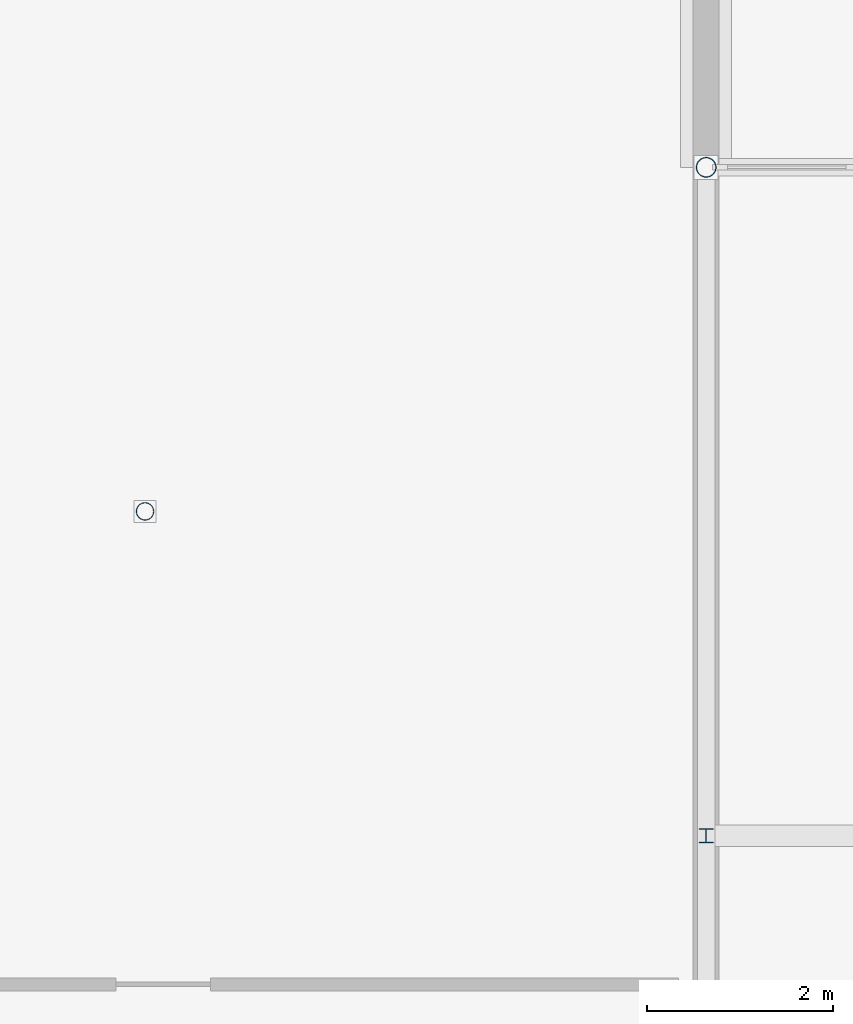
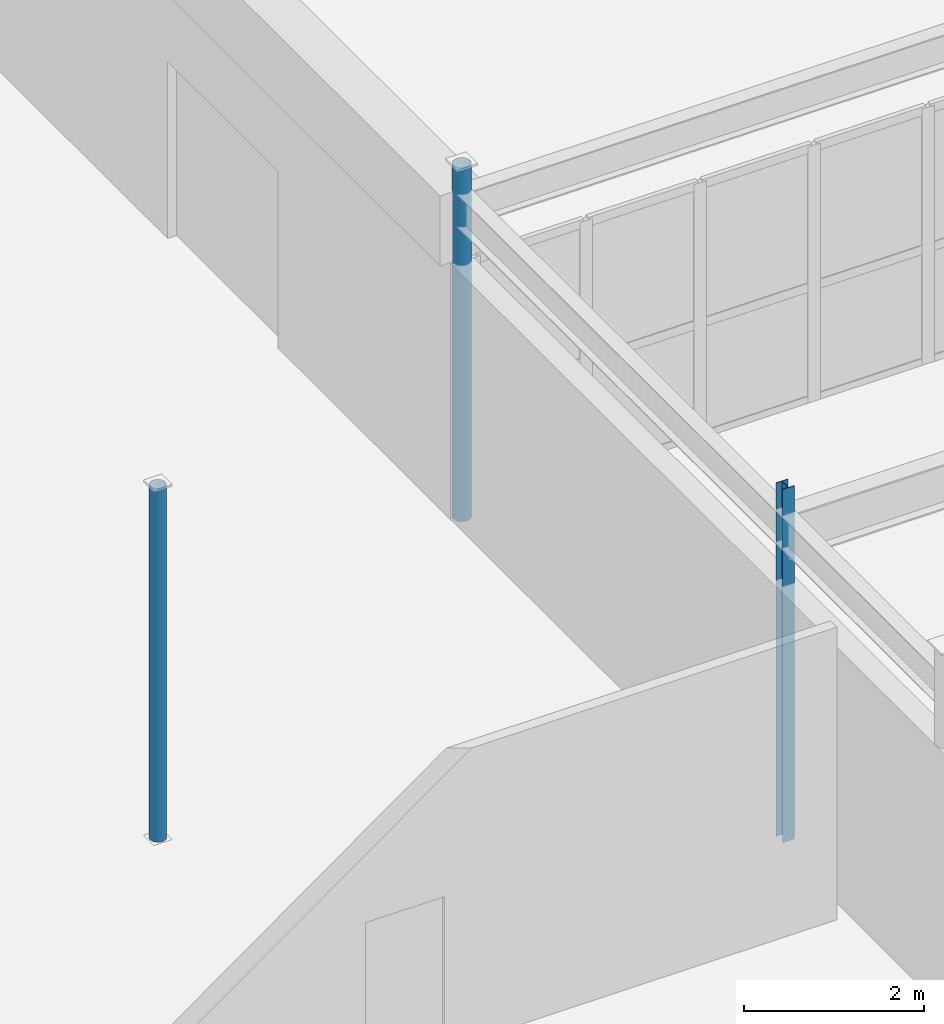
# One storey, part 56 of 199: 3 columns.
"""IFC4 building model written with IfcOpenShell, lengths in metres."""

from ifc_helpers import new_model, si_unit, direction, frame, origin, origin_2d, place, context, subcontext, project, spatial, hollow_circle, i_section, extrude, material, material_profile, profile_set, type_object, element, save


model = new_model("IFC4")

# Units and contexts
model_context = context("Model", 3, precision=1e-05, world=origin(), true_north=direction((0.0, 1.0)))
body_context = subcontext(model_context, "Body", "Model", "MODEL_VIEW")
ifc_project = project(units=[si_unit("LENGTHUNIT", "METRE"), si_unit("AREAUNIT", "SQUARE_METRE"), si_unit("VOLUMEUNIT", "CUBIC_METRE"), si_unit("PLANEANGLEUNIT", "RADIAN"), si_unit("MASSUNIT", "GRAM", prefix="KILO")], contexts=[model_context])

# Site, building, storey
site_placement = place(None, origin())
site = spatial("IfcSite", under=ifc_project, at=site_placement, CompositionType="ELEMENT")
building_placement = place(site_placement, origin())
building = spatial("IfcBuilding", under=site, at=building_placement, Name="Tarnwether General Hospital", CompositionType="ELEMENT")
storey_placement = place(building_placement, origin())
storey = spatial("IfcBuildingStorey", under=building, at=storey_placement, Name="L00", CompositionType="ELEMENT", Elevation=0.0)

# Columns
ifc_material_1 = material(Name="Steel Grade C350L0 (350 MPa)", Category="steel")
ifc_material_profile_1 = material_profile(ifc_material_1, hollow_circle(Radius=0.109619140625, WallThickness=0.010009765625, at=origin_2d()), Name="CHS219.1x10.0")
ifc_profile_set_1 = profile_set([ifc_material_profile_1], Name="Steel Grade C350L0 (350 MPa)")
column_type_1 = type_object("IfcColumnType", Name="COL-13", PredefinedType="COLUMN", material=ifc_profile_set_1)
column_1_placement = place(storey_placement, frame((132.0, 115.199951171875, 0.0), z_axis=(0.0, 0.0, 1.0), x_axis=(0.0, 1.0, 0.0)))
element("IfcColumn", 1, at=column_1_placement, inside=storey, type_object=column_type_1, Name="Column COLG-L00-13200_11520", PredefinedType="COLUMN", context=body_context, shape_type="SweptSolid", body=[
    extrude(hollow_circle(Radius=0.109619140625, WallThickness=0.010009765625, at=origin_2d()), origin(), (0.0, 0.0, 1.0), 4.800048828125),
])
ifc_material_2 = material(Name="Steel Grade C350L0 (350 MPa)", Category="steel")
ifc_material_profile_2 = material_profile(ifc_material_2, hollow_circle(Radius=0.096923828125, WallThickness=0.008056640625, at=origin_2d()), Name="CHS193.7x8.0")
ifc_profile_set_2 = profile_set([ifc_material_profile_2], Name="Steel Grade C350L0 (350 MPa)")
column_type_2 = type_object("IfcColumnType", Name="COL-29", PredefinedType="COLUMN", material=ifc_profile_set_2)
column_2_placement = place(storey_placement, frame((125.9560546875, 111.493896484375, 0.0), z_axis=(0.0, 0.0, 1.0), x_axis=(0.573576436351, 0.819152044289, 0.0)))
element("IfcColumn", 2, at=column_2_placement, inside=storey, type_object=column_type_2, Name="Column COLG-L00-12596_11149", PredefinedType="COLUMN", context=body_context, shape_type="SweptSolid", body=[
    extrude(hollow_circle(Radius=0.096923828125, WallThickness=0.008056640625, at=origin_2d()), origin(), (0.0, 0.0, 1.0), 4.800048828125),
])
ifc_material_3 = material(Name="Steel Grade 350 (350 MPa)", Category="steel")
ifc_material_profile_3 = material_profile(ifc_material_3, i_section(OverallWidth=0.152099609375, OverallDepth=0.152099609375, WebThickness=0.006103515625, FlangeThickness=0.0068359375, at=origin_2d()), Name="150UC23.4")
ifc_profile_set_3 = profile_set([ifc_material_profile_3], Name="Steel Grade 350 (350 MPa)")
column_type_3 = type_object("IfcColumnType", Name="COL-32", PredefinedType="COLUMN", material=ifc_profile_set_3)
column_3_placement = place(storey_placement, frame((132.0, 108.0, 0.0), z_axis=(0.0, 0.0, 1.0), x_axis=(1.0, 0.0, 0.0)))
element("IfcColumn", 3, at=column_3_placement, inside=storey, type_object=column_type_3, Name="Column COLG-L00-13200_10800", PredefinedType="COLUMN", context=body_context, shape_type="SweptSolid", body=[
    extrude(i_section(OverallWidth=0.152099609375, OverallDepth=0.152099609375, WebThickness=0.006103515625, FlangeThickness=0.0068359375, at=origin_2d()), origin(), (0.0, 0.0, 1.0), 4.800048828125),
])

save(model, "model.ifc")
